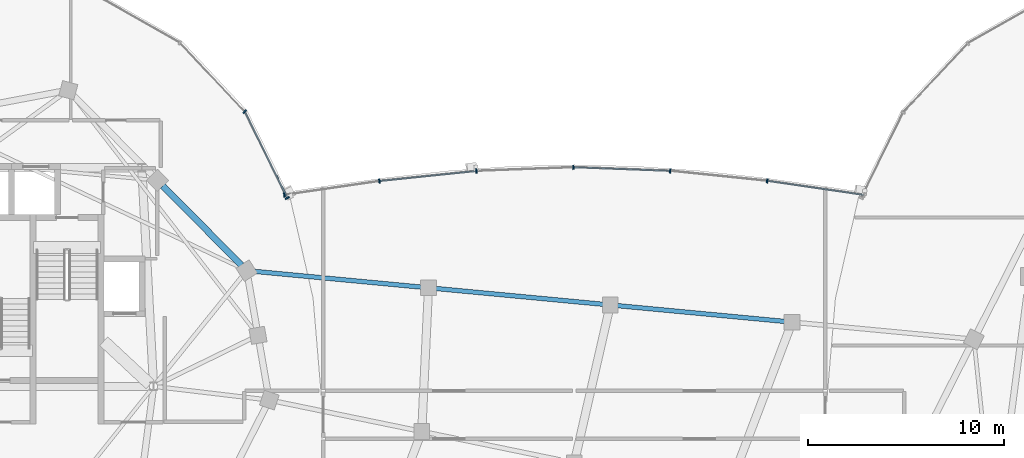
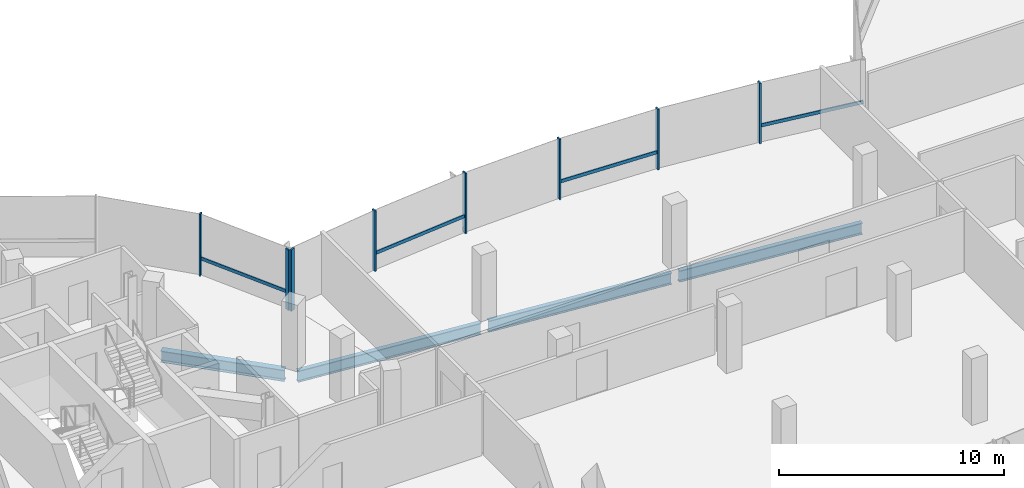
# One storey, part 7 of 25: 12 members, 4 beams, 2 elements without a shape of their own.
"""IFC4 building model written with IfcOpenShell, lengths in metres."""

from ifc_helpers import new_model, si_unit, direction, frame, origin, origin_2d, place, context, subcontext, project, spatial, rectangle, i_section, extrude, material, material_profile, profile_set, type_object, element, aggregate, save


model = new_model("IFC4")

# Units and contexts
model_context = context("Model", 3, precision=1e-05, world=origin(), true_north=direction((0.0, 1.0)))
body_context = subcontext(model_context, "Body", "Model", "MODEL_VIEW")
ifc_project = project(units=[si_unit("LENGTHUNIT", "METRE"), si_unit("AREAUNIT", "SQUARE_METRE"), si_unit("VOLUMEUNIT", "CUBIC_METRE"), si_unit("PLANEANGLEUNIT", "RADIAN"), si_unit("MASSUNIT", "GRAM", prefix="KILO"), si_unit("THERMODYNAMICTEMPERATUREUNIT", "KELVIN"), si_unit("POWERUNIT", "WATT")], contexts=[model_context])

# Site, building, storey
site_placement = place(None, origin())
site = spatial("IfcSite", under=ifc_project, at=site_placement, CompositionType="ELEMENT")
building_placement = place(site_placement, origin())
building = spatial("IfcBuilding", under=site, at=building_placement, Name="Cundina Bronze Exchange", CompositionType="ELEMENT")
storey_placement = place(building_placement, frame((0.0, 0.0, 250.39990234375)))
storey = spatial("IfcBuildingStorey", under=building, at=storey_placement, Name="L66", CompositionType="ELEMENT", Elevation=250.39990234375)

# Beams
ifc_material_1 = material(Name="Steel ASTM A992 Grade 50", Category="steel")
ifc_material_profile_1 = material_profile(ifc_material_1, i_section(OverallWidth=0.22998046875, OverallDepth=0.616943359375, WebThickness=0.01318359375, FlangeThickness=0.022216796875, FilletRadius=0.013916015625, at=origin_2d()), Name="W24X94", Category="steel")
ifc_profile_set_1 = profile_set([ifc_material_profile_1], Name="Steel ASTM A992 Grade 50")
beam_type_1 = type_object("IfcBeamType", Name="BM-FLR-W24B", PredefinedType="BEAM", material=ifc_profile_set_1)
beam_1_placement = place(storey_placement, frame((-16.520751953125, 9.783203125, -0.62841796875), z_axis=(0.995572136276, -0.094000646124, 0.0), x_axis=(0.094000646124, 0.995572136276, 0.0)))
element("IfcBeam", 1, at=beam_1_placement, inside=storey, type_object=beam_type_1, Name="L66 Sky-Gate Longitudinal Girder Y3-P1", PredefinedType="BEAM", context=body_context, shape_type="SweptSolid", body=[
    extrude(i_section(OverallWidth=0.22998046875, OverallDepth=0.616943359375, WebThickness=0.01318359375, FlangeThickness=0.022216796875, FilletRadius=0.013916015625, at=origin_2d()), origin(), (0.0, 0.0, 1.0), 8.949951171875),
])
beam_2_placement = place(storey_placement, frame((-7.251953125, 8.908203125, -0.62841796875), z_axis=(0.995571895232, -0.094003199007, 0.0), x_axis=(0.094003199007, 0.995571895232, 0.0)))
element("IfcBeam", 2, at=beam_2_placement, inside=storey, type_object=beam_type_1, Name="L66 Sky-Gate Longitudinal Girder Y3-P2", PredefinedType="BEAM", context=body_context, shape_type="SweptSolid", body=[
    extrude(i_section(OverallWidth=0.22998046875, OverallDepth=0.616943359375, WebThickness=0.01318359375, FlangeThickness=0.022216796875, FilletRadius=0.013916015625, at=origin_2d()), origin(), (0.0, 0.0, 1.0), 8.94970703125),
])
beam_3_placement = place(storey_placement, frame((2.0166015625, 8.033203125, -0.62841796875), z_axis=(0.995572136276, -0.094000646124, 0.0), x_axis=(0.094000646124, 0.995572136276, 0.0)))
element("IfcBeam", 3, at=beam_3_placement, inside=storey, type_object=beam_type_1, Name="L66 Sky-Gate Longitudinal Girder Y3-P3", PredefinedType="BEAM", context=body_context, shape_type="SweptSolid", body=[
    extrude(i_section(OverallWidth=0.22998046875, OverallDepth=0.616943359375, WebThickness=0.01318359375, FlangeThickness=0.022216796875, FilletRadius=0.013916015625, at=origin_2d()), origin(), (0.0, 0.0, 1.0), 8.949951171875),
])
ifc_material_profile_2 = material_profile(ifc_material_1, i_section(OverallWidth=0.324951171875, OverallDepth=0.615966796875, WebThickness=0.013916015625, FlangeThickness=0.021484375, FilletRadius=0.01611328125, at=origin_2d()), Name="W24X117", Category="steel")
ifc_profile_set_2 = profile_set([ifc_material_profile_2], Name="Steel ASTM A992 Grade 50")
beam_type_2 = type_object("IfcBeamType", Name="BM-RING-W24", PredefinedType="USERDEFINED", material=ifc_profile_set_2)
beam_4_placement = place(storey_placement, frame((-16.972900390625, 10.075927734375, -0.56787109375), z_axis=(-0.703237257446, 0.710955244541, 0.0), x_axis=(-0.710955244541, -0.703237257446, 0.0)))
element("IfcBeam", 4, at=beam_4_placement, inside=storey, type_object=beam_type_2, Name="L66 W Perimeter Ring Girder 02", ObjectType="GIRDER", PredefinedType="USERDEFINED", context=body_context, shape_type="SweptSolid", body=[
    extrude(i_section(OverallWidth=0.324951171875, OverallDepth=0.615966796875, WebThickness=0.013916015625, FlangeThickness=0.021484375, FilletRadius=0.01611328125, at=origin_2d()), origin(), (0.0, 0.0, 1.0), 5.69384765625),
])

# Curtain wall, members
ifc_material_2 = material(Name="Anodised Bronze Aluminium 6063-T6", Category="aluminium")
curtain_wall_type = type_object("IfcCurtainWallType", Name="CWS-SKG-BRG", PredefinedType="NOTDEFINED", material=ifc_material_2)
curtain_wall_1_placement = place(storey_placement, origin())
curtain_wall_1 = element("IfcCurtainWall", 5, at=curtain_wall_1_placement, inside=storey, type_object=curtain_wall_type, Name="L66 CW-06 Curtain Wall Run CWR-L66-W1", PredefinedType="NOTDEFINED")
ifc_material_profile_3 = material_profile(ifc_material_2, rectangle(XDim=0.074951171875, YDim=0.219970703125, at=origin_2d()), Name="AL75X220", Category="aluminium")
ifc_profile_set_3 = profile_set([ifc_material_profile_3], Name="Anodised Bronze Aluminium 6063-T6")
member_type_1 = type_object("IfcMemberType", Name="CWM-MUL-220", PredefinedType="MULLION", material=ifc_profile_set_3)
member_1_placement = place(storey_placement, frame((-14.630859375, 13.50390625, 0.0), z_axis=(0.0, 0.0, 1.0), x_axis=(-0.440566004113, 0.897720221461, 0.0)))
member_1 = element("IfcMember", 6, at=member_1_placement, type_object=member_type_1, Name="CW-06 Mullion 1", PredefinedType="MULLION", context=body_context, shape_type="SweptSolid", body=[
    extrude(rectangle(XDim=0.074951171875, YDim=0.219970703125, at=origin_2d()), origin(), (0.0, 0.0, 1.0), 3.340087890625),
])
member_2_placement = place(storey_placement, frame((-16.8037109375, 17.910400390625, 0.0), z_axis=(0.0, 0.0, 1.0), x_axis=(-0.684292606175, 0.729207535023, 0.0)))
member_2 = element("IfcMember", 7, at=member_2_placement, type_object=member_type_1, Name="CW-06 Mullion 2", PredefinedType="MULLION", context=body_context, shape_type="SweptSolid", body=[
    extrude(rectangle(XDim=0.074951171875, YDim=0.219970703125, at=origin_2d()), origin(), (0.0, 0.0, 1.0), 3.340087890625),
])

curtain_wall_2_placement = place(storey_placement, origin())
curtain_wall_2 = element("IfcCurtainWall", 8, at=curtain_wall_2_placement, inside=storey, type_object=curtain_wall_type, Name="L66 CW-06 Curtain Wall Run CWR-L66-BRGN", PredefinedType="NOTDEFINED")
member_3_placement = place(storey_placement, frame((9.83447265625, 14.378173828125, 0.0), z_axis=(0.0, 0.0, 1.0), x_axis=(-0.994666875153, 0.103139747302, 0.0)))
member_3 = element("IfcMember", 9, at=member_3_placement, type_object=member_type_1, Name="CW-06 Mullion 2", PredefinedType="MULLION", context=body_context, shape_type="SweptSolid", body=[
    extrude(rectangle(XDim=0.074951171875, YDim=0.219970703125, at=origin_2d()), origin(), (0.0, 0.0, 1.0), 3.280029296875),
])
member_4_placement = place(storey_placement, frame((4.892578125, 14.88720703125, 0.0), z_axis=(0.0, 0.0, 1.0), x_axis=(-0.999302568116, 0.037341362551, 0.0)))
member_4 = element("IfcMember", 10, at=member_4_placement, type_object=member_type_1, Name="CW-06 Mullion 3", PredefinedType="MULLION", context=body_context, shape_type="SweptSolid", body=[
    extrude(rectangle(XDim=0.074951171875, YDim=0.219970703125, at=origin_2d()), origin(), (0.0, 0.0, 1.0), 3.280029296875),
])
member_5_placement = place(storey_placement, frame((-0.047607421875, 15.068115234375, 0.0), z_axis=(0.0, 0.0, 1.0), x_axis=(-0.999302568116, -0.037341362551, 0.0)))
member_5 = element("IfcMember", 11, at=member_5_placement, type_object=member_type_1, Name="CW-06 Mullion 4", PredefinedType="MULLION", context=body_context, shape_type="SweptSolid", body=[
    extrude(rectangle(XDim=0.074951171875, YDim=0.219970703125, at=origin_2d()), origin(), (0.0, 0.0, 1.0), 3.280029296875),
])
member_6_placement = place(storey_placement, frame((-4.98876953125, 14.88037109375, 0.0), z_axis=(0.0, 0.0, 1.0), x_axis=(-0.994666875153, -0.103139747302, 0.0)))
member_6 = element("IfcMember", 12, at=member_6_placement, type_object=member_type_1, Name="CW-06 Mullion 5", PredefinedType="MULLION", context=body_context, shape_type="SweptSolid", body=[
    extrude(rectangle(XDim=0.074951171875, YDim=0.219970703125, at=origin_2d()), origin(), (0.0, 0.0, 1.0), 3.280029296875),
])
member_7_placement = place(storey_placement, frame((-9.93310546875, 14.36572265625, 0.0), z_axis=(0.0, 0.0, 1.0), x_axis=(-0.989525789069, -0.144356201001, 0.0)))
member_7 = element("IfcMember", 13, at=member_7_placement, type_object=member_type_1, Name="CW-06 Mullion 6", PredefinedType="MULLION", context=body_context, shape_type="SweptSolid", body=[
    extrude(rectangle(XDim=0.074951171875, YDim=0.219970703125, at=origin_2d()), origin(), (0.0, 0.0, 1.0), 3.280029296875),
])
member_8_placement = place(storey_placement, frame((-14.779296875, 13.658935546875, 0.0), z_axis=(0.0, 0.0, 1.0), x_axis=(-0.989525789069, -0.144356201001, 0.0)))
member_8 = element("IfcMember", 14, at=member_8_placement, type_object=member_type_1, Name="CW-06 End Mullion", PredefinedType="MULLION", context=body_context, shape_type="SweptSolid", body=[
    extrude(rectangle(XDim=0.074951171875, YDim=0.219970703125, at=origin_2d()), origin(), (0.0, 0.0, 1.0), 3.280029296875),
])

# Member
ifc_material_profile_4 = material_profile(ifc_material_2, rectangle(XDim=0.070068359375, YDim=0.179931640625, at=origin_2d()), Name="AL70X180", Category="aluminium")
ifc_profile_set_4 = profile_set([ifc_material_profile_4], Name="Anodised Bronze Aluminium 6063-T6")
member_type_2 = type_object("IfcMemberType", Name="CWM-TRN-180", PredefinedType="USERDEFINED", material=ifc_profile_set_4)
member_9_placement = place(storey_placement, frame((-14.64892578125, 13.541015625, 0.920166015625), z_axis=(-0.440554408939, 0.897725911826, 0.0), x_axis=(-0.897725911826, -0.440554408939, 0.0)))
member_9 = element("IfcMember", 15, at=member_9_placement, type_object=member_type_2, Name="CW-06 Spandrel Transom 1", ObjectType="TRANSOM", PredefinedType="USERDEFINED", context=body_context, shape_type="SweptSolid", body=[
    extrude(rectangle(XDim=0.070068359375, YDim=0.179931640625, at=origin_2d()), origin(), (0.0, 0.0, 1.0), 4.848388671875),
])

aggregate(curtain_wall_1, [member_1, member_9, member_2])

member_10_placement = place(storey_placement, frame((14.738525390625, 13.664794921875, 0.91845703125), z_axis=(-0.989531497997, 0.144317062302, 0.0), x_axis=(-0.144317062302, -0.989531497997, 0.0)))
member_10 = element("IfcMember", 16, at=member_10_placement, type_object=member_type_2, Name="CW-06 Spandrel Transom 1", ObjectType="TRANSOM", PredefinedType="USERDEFINED", context=body_context, shape_type="SweptSolid", body=[
    extrude(rectangle(XDim=0.070068359375, YDim=0.179931640625, at=origin_2d()), origin(), (0.0, 0.0, 1.0), 4.8974609375),
])

member_11_placement = place(storey_placement, frame((4.8515625, 14.888671875, 0.91845703125), z_axis=(-0.999303683555, 0.037311500026, 0.0), x_axis=(-0.037311500026, -0.999303683555, 0.0)))
member_11 = element("IfcMember", 17, at=member_11_placement, type_object=member_type_2, Name="CW-06 Spandrel Transom 3", ObjectType="TRANSOM", PredefinedType="USERDEFINED", context=body_context, shape_type="SweptSolid", body=[
    extrude(rectangle(XDim=0.070068359375, YDim=0.179931640625, at=origin_2d()), origin(), (0.0, 0.0, 1.0), 4.8486328125),
])

member_12_placement = place(storey_placement, frame((-5.02978515625, 14.8759765625, 0.91845703125), z_axis=(-0.994672497027, -0.103085516243, 0.0), x_axis=(0.103085516243, -0.994672497027, 0.0)))
member_12 = element("IfcMember", 18, at=member_12_placement, type_object=member_type_2, Name="CW-06 Spandrel Transom 5", ObjectType="TRANSOM", PredefinedType="USERDEFINED", context=body_context, shape_type="SweptSolid", body=[
    extrude(rectangle(XDim=0.070068359375, YDim=0.179931640625, at=origin_2d()), origin(), (0.0, 0.0, 1.0), 4.87158203125),
])

aggregate(curtain_wall_2, [member_10, member_3, member_4, member_11, member_5, member_6, member_12, member_7, member_8])

save(model, "model.ifc")
